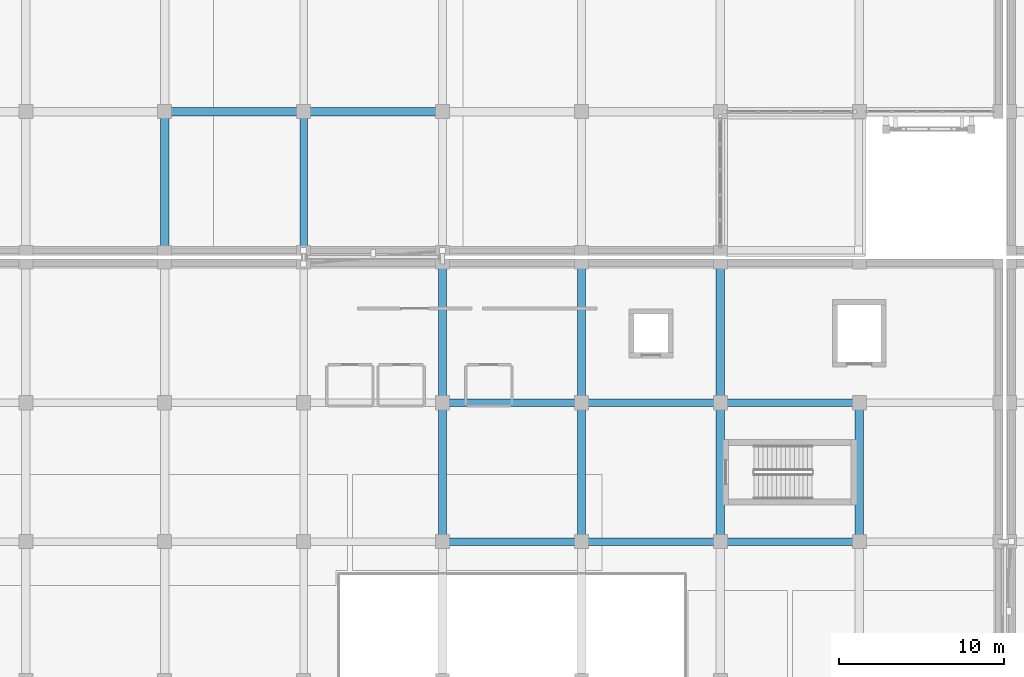
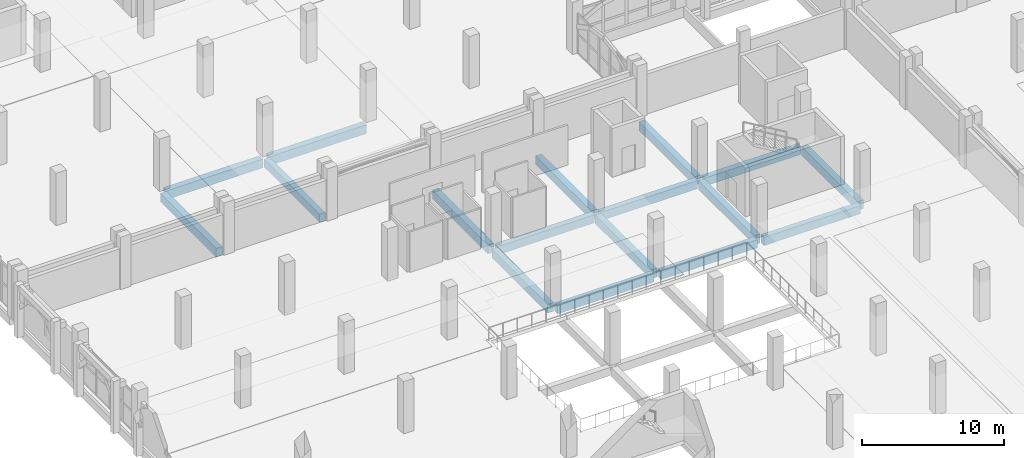
# One storey, part 26 of 137: 17 beams.
"""IFC4 building model written with IfcOpenShell, lengths in metres."""

from ifc_helpers import new_model, si_unit, direction, frame, origin, origin_2d, place, context, subcontext, project, spatial, rectangle, extrude, material, material_profile, profile_set, type_object, element, save


model = new_model("IFC4")

# Units and contexts
model_context = context("Model", 3, precision=1e-05, world=origin(), true_north=direction((0.0, 1.0)))
body_context = subcontext(model_context, "Body", "Model", "MODEL_VIEW")
ifc_project = project(units=[si_unit("LENGTHUNIT", "METRE"), si_unit("AREAUNIT", "SQUARE_METRE"), si_unit("VOLUMEUNIT", "CUBIC_METRE"), si_unit("PLANEANGLEUNIT", "RADIAN"), si_unit("MASSUNIT", "GRAM", prefix="KILO")], contexts=[model_context])

# Site, building, storey
site_placement = place(None, origin())
site = spatial("IfcSite", under=ifc_project, at=site_placement, CompositionType="ELEMENT")
building_placement = place(site_placement, origin())
building = spatial("IfcBuilding", under=site, at=building_placement, Name="Xazarin Passage Department Store", CompositionType="ELEMENT")
storey_placement = place(building_placement, frame((0.0, 0.0, 5.39990234375)))
storey = spatial("IfcBuildingStorey", under=building, at=storey_placement, Name="L01", CompositionType="ELEMENT", Elevation=5.39990234375)

# Beams
ifc_material = material(Name="Concrete C35/45", Category="concrete")
ifc_material_profile_1 = material_profile(ifc_material, rectangle(XDim=0.449951171875, YDim=0.699951171875, at=origin_2d()), Name="RC 450x700")
ifc_profile_set_1 = profile_set([ifc_material_profile_1], Name="Concrete C35/45")
beam_type_1 = type_object("IfcBeamType", Name="STR-BM-G450x700", PredefinedType="BEAM", material=ifc_profile_set_1)
for number, where, z_axis, x_axis, name in (
    (1, (25.199951171875, 51.47998046875, -0.64990234375), (0.0, 1.0, 0.0), (-1.0, 0.0, 0.0), "L01 Grid Beam 4/H-J"),
    (2, (33.8798828125, 33.60009765625, -0.669921875), (1.0, 0.0, 0.0), (0.0, 1.0, 0.0), "L01 Grid Beam E/5-6"),
    (3, (42.280029296875, 33.60009765625, -0.669921875), (1.0, 0.0, 0.0), (0.0, 1.0, 0.0), "L01 Grid Beam E/6-7"),
    (4, (50.679931640625, 33.60009765625, -0.669921875), (1.0, 0.0, 0.0), (0.0, 1.0, 0.0), "L01 Grid Beam E/7-8"),
    (5, (33.8798828125, 42.0, -0.669921875), (1.0, 0.0, 0.0), (0.0, 1.0, 0.0), "L01 Grid Beam F/5-6"),
    (6, (42.280029296875, 42.0, -0.669921875), (1.0, 0.0, 0.0), (0.0, 1.0, 0.0), "L01 Grid Beam F/6-7"),
    (7, (50.679931640625, 42.0, -0.669921875), (1.0, 0.0, 0.0), (0.0, 1.0, 0.0), "L01 Grid Beam F/7-8"),
):
    element("IfcBeam", number, at=place(storey_placement, frame(where, z_axis=z_axis, x_axis=x_axis)), inside=storey, type_object=beam_type_1, Name=name, PredefinedType="BEAM", context=body_context, shape_type="SweptSolid", body=[
        extrude(rectangle(XDim=0.449951171875, YDim=0.699951171875, at=origin_2d()), origin(), (0.0, 0.0, 1.0), 7.840087890625),
    ])
ifc_material_profile_2 = material_profile(ifc_material, rectangle(XDim=0.5, YDim=0.75, at=origin_2d()), Name="RC 500x750")
ifc_profile_set_2 = profile_set([ifc_material_profile_2], Name="Concrete C35/45")
beam_type_2 = type_object("IfcBeamType", Name="STR-BM-SP500x750", PredefinedType="SPANDREL", material=ifc_profile_set_2)
beam_placement = place(storey_placement, frame((17.080078125, 59.60009765625, -0.6748046875), z_axis=(1.0, 0.0, 0.0), x_axis=(0.0, 1.0, 0.0)))
element("IfcBeam", 8, at=beam_placement, inside=storey, type_object=beam_type_2, Name="L01 Grid Beam J/3-4", PredefinedType="SPANDREL", context=body_context, shape_type="SweptSolid", body=[
    extrude(rectangle(XDim=0.5, YDim=0.75, at=origin_2d()), origin(), (0.0, 0.0, 1.0), 7.83984375),
])
for number, where, z_axis, x_axis, name in (
    (9, (25.47998046875, 59.60009765625, -0.6748046875), (1.0, 0.0, 0.0), (0.0, 1.0, 0.0), "L01 Grid Beam J/4-5"),
    (10, (16.800048828125, 51.47998046875, -0.6748046875), (0.0, 1.0, 0.0), (-1.0, 0.0, 0.0), "L01 Grid Beam 3/H-J"),
    (11, (33.60009765625, 33.8798828125, -0.69482421875), (0.0, 1.0, 0.0), (-1.0, 0.0, 0.0), "L01 Grid Beam 5/E-F"),
    (12, (33.60009765625, 42.280029296875, -0.69482421875), (0.0, 1.0, 0.0), (-1.0, 0.0, 0.0), "L01 Grid Beam 5/F-G"),
    (13, (42.0, 33.8798828125, -0.69482421875), (0.0, 1.0, 0.0), (-1.0, 0.0, 0.0), "L01 Grid Beam 6/E-F"),
    (14, (42.0, 42.280029296875, -0.69482421875), (0.0, 1.0, 0.0), (-1.0, 0.0, 0.0), "L01 Grid Beam 6/F-G"),
    (15, (50.39990234375, 33.8798828125, -0.69482421875), (0.0, 1.0, 0.0), (-1.0, 0.0, 0.0), "L01 Grid Beam 7/E-F"),
    (16, (50.39990234375, 42.280029296875, -0.69482421875), (0.0, 1.0, 0.0), (-1.0, 0.0, 0.0), "L01 Grid Beam 7/F-G"),
    (17, (58.800048828125, 33.8798828125, -0.69482421875), (0.0, 1.0, 0.0), (-1.0, 0.0, 0.0), "L01 Grid Beam 8/E-F"),
):
    element("IfcBeam", number, at=place(storey_placement, frame(where, z_axis=z_axis, x_axis=x_axis)), inside=storey, type_object=beam_type_2, Name=name, PredefinedType="SPANDREL", context=body_context, shape_type="SweptSolid", body=[
        extrude(rectangle(XDim=0.5, YDim=0.75, at=origin_2d()), origin(), (0.0, 0.0, 1.0), 7.840087890625),
    ])

save(model, "model.ifc")
